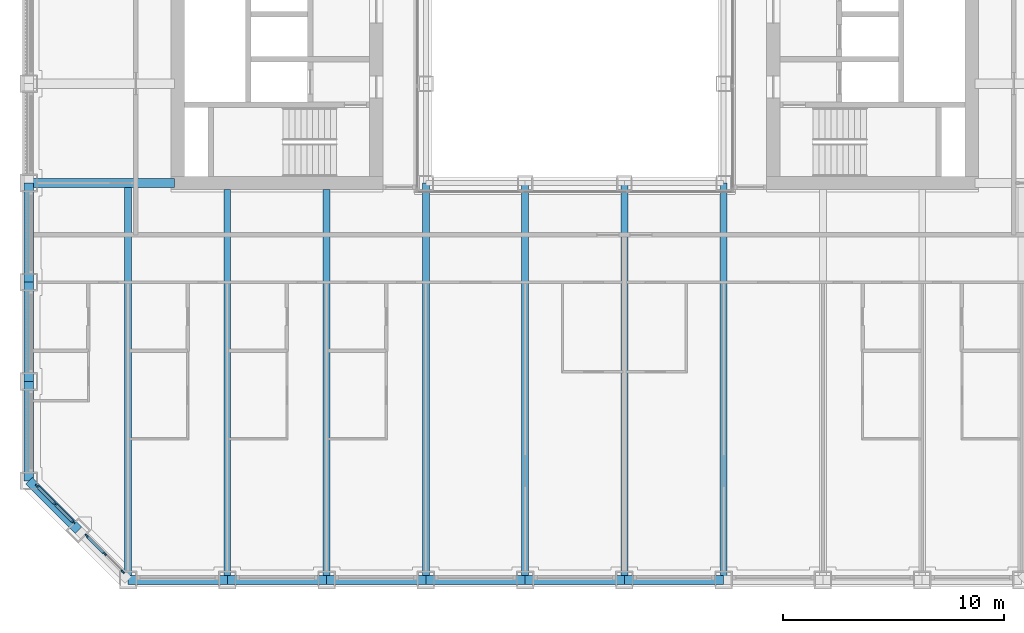
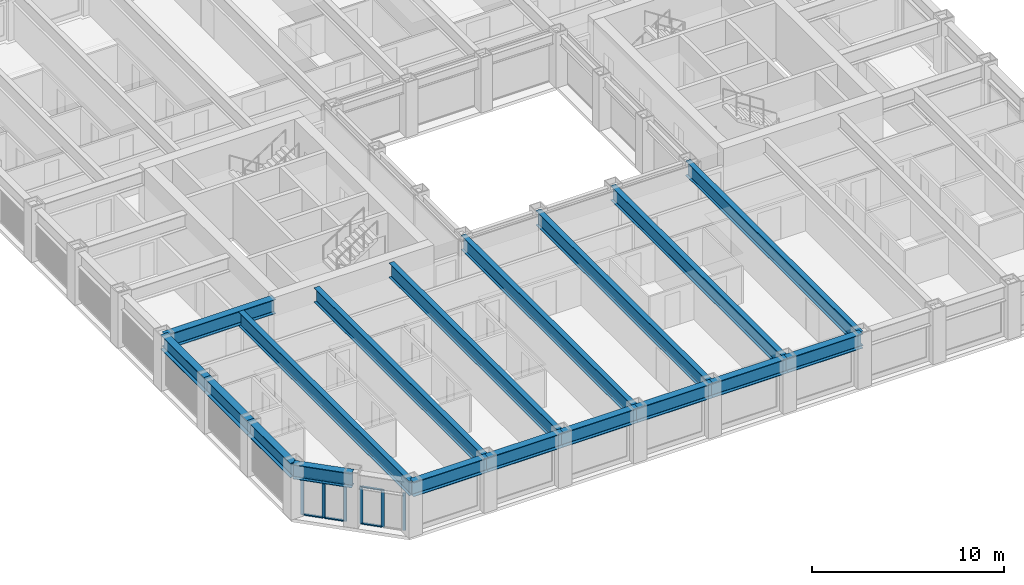
# One storey, part 2 of 21: 18 beams, 12 members, 2 elements without a shape of their own.
"""IFC4 building model written with IfcOpenShell, lengths in metres."""

from ifc_helpers import new_model, si_unit, direction, frame, origin, origin_2d, place, context, subcontext, project, spatial, rectangle, i_section, extrude, material, material_profile, profile_set, type_object, element, aggregate, save


model = new_model("IFC4")

# Units and contexts
model_context = context("Model", 3, precision=1e-05, world=origin(), true_north=direction((0.0, 1.0)))
body_context = subcontext(model_context, "Body", "Model", "MODEL_VIEW")
ifc_project = project(units=[si_unit("LENGTHUNIT", "METRE"), si_unit("AREAUNIT", "SQUARE_METRE"), si_unit("VOLUMEUNIT", "CUBIC_METRE"), si_unit("PLANEANGLEUNIT", "RADIAN"), si_unit("MASSUNIT", "GRAM", prefix="KILO")], contexts=[model_context])

# Site, building, storey
site_placement = place(None, origin())
site = spatial("IfcSite", under=ifc_project, at=site_placement, CompositionType="ELEMENT")
building_placement = place(site_placement, origin())
building = spatial("IfcBuilding", under=site, at=building_placement, Name="Msasa Ring Tower", CompositionType="ELEMENT")
storey_placement = place(building_placement, frame((0.0, 0.0, 86.0)))
storey = spatial("IfcBuildingStorey", under=building, at=storey_placement, Name="L22", CompositionType="ELEMENT", Elevation=86.0)

# Curtain wall, members
ifc_material_1 = material(Name="Aluminium curtain wall with clear glass", Category="aluminium")
curtain_wall_type = type_object("IfcCurtainWallType", Name="CW-C CHAMFER CORNER CURTAIN WALL", PredefinedType="NOTDEFINED", material=ifc_material_1)
curtain_wall_1_placement = place(storey_placement, origin())
curtain_wall_1 = element("IfcCurtainWall", 1, at=curtain_wall_1_placement, inside=storey, type_object=curtain_wall_type, Name="Chamfer corner curtain wall SW L22", PredefinedType="NOTDEFINED")
ifc_material_2 = material(Name="Aluminium mullion", Category="aluminium")
ifc_material_profile_1 = material_profile(ifc_material_2, rectangle(XDim=0.06494140625, YDim=0.179931640625, at=origin_2d()), Name="AL 65x180")
ifc_profile_set_1 = profile_set([ifc_material_profile_1], Name="Aluminium mullion")
member_type_1 = type_object("IfcMemberType", Name="CW-C MULLION 65x180", PredefinedType="MULLION", material=ifc_profile_set_1)
member_1_placement = place(storey_placement, frame((-24.369873046875, -20.48876953125, 0.0), z_axis=(0.0, 0.0, 1.0), x_axis=(0.707106781187, 0.707106781187, 0.0)))
member_1 = element("IfcMember", 2, at=member_1_placement, type_object=member_type_1, Name="CW-C mullion 1", PredefinedType="MULLION", context=body_context, shape_type="SweptSolid", body=[
    extrude(rectangle(XDim=0.06494140625, YDim=0.179931640625, at=origin_2d()), origin(), (0.0, 0.0, 1.0), 2.37890625),
])
member_2_placement = place(storey_placement, frame((-23.55419921875, -21.30419921875, 0.0), z_axis=(0.0, 0.0, 1.0), x_axis=(0.707106781187, 0.707106781187, 0.0)))
member_2 = element("IfcMember", 3, at=member_2_placement, type_object=member_type_1, Name="CW-C mullion 2", PredefinedType="MULLION", context=body_context, shape_type="SweptSolid", body=[
    extrude(rectangle(XDim=0.06494140625, YDim=0.179931640625, at=origin_2d()), origin(), (0.0, 0.0, 1.0), 2.37890625),
])
member_3_placement = place(storey_placement, frame((-22.73876953125, -22.119873046875, 0.0), z_axis=(0.0, 0.0, 1.0), x_axis=(0.707106781187, 0.707106781187, 0.0)))
member_3 = element("IfcMember", 4, at=member_3_placement, type_object=member_type_1, Name="CW-C mullion 3", PredefinedType="MULLION", context=body_context, shape_type="SweptSolid", body=[
    extrude(rectangle(XDim=0.06494140625, YDim=0.179931640625, at=origin_2d()), origin(), (0.0, 0.0, 1.0), 2.37890625),
])

curtain_wall_2_placement = place(storey_placement, origin())
curtain_wall_2 = element("IfcCurtainWall", 5, at=curtain_wall_2_placement, inside=storey, type_object=curtain_wall_type, Name="Chamfer corner curtain wall SW L22", PredefinedType="NOTDEFINED")
member_4_placement = place(storey_placement, frame((-22.119873046875, -22.73876953125, 0.0), z_axis=(0.0, 0.0, 1.0), x_axis=(0.707106781187, 0.707106781187, 0.0)))
member_4 = element("IfcMember", 6, at=member_4_placement, type_object=member_type_1, Name="CW-C mullion 1", PredefinedType="MULLION", context=body_context, shape_type="SweptSolid", body=[
    extrude(rectangle(XDim=0.06494140625, YDim=0.179931640625, at=origin_2d()), origin(), (0.0, 0.0, 1.0), 2.37890625),
])
member_5_placement = place(storey_placement, frame((-21.30419921875, -23.55419921875, 0.0), z_axis=(0.0, 0.0, 1.0), x_axis=(0.707106781187, 0.707106781187, 0.0)))
member_5 = element("IfcMember", 7, at=member_5_placement, type_object=member_type_1, Name="CW-C mullion 2", PredefinedType="MULLION", context=body_context, shape_type="SweptSolid", body=[
    extrude(rectangle(XDim=0.06494140625, YDim=0.179931640625, at=origin_2d()), origin(), (0.0, 0.0, 1.0), 2.37890625),
])
member_6_placement = place(storey_placement, frame((-20.48876953125, -24.369873046875, 0.0), z_axis=(0.0, 0.0, 1.0), x_axis=(0.707106781187, 0.707106781187, 0.0)))
member_6 = element("IfcMember", 8, at=member_6_placement, type_object=member_type_1, Name="CW-C mullion 3", PredefinedType="MULLION", context=body_context, shape_type="SweptSolid", body=[
    extrude(rectangle(XDim=0.06494140625, YDim=0.179931640625, at=origin_2d()), origin(), (0.0, 0.0, 1.0), 2.37890625),
])

# Member
ifc_material_3 = material(Name="Aluminium transom", Category="aluminium")
ifc_material_profile_2 = material_profile(ifc_material_3, rectangle(XDim=0.139892578125, YDim=0.06494140625, at=origin_2d()), Name="AL 65x140")
ifc_profile_set_2 = profile_set([ifc_material_profile_2], Name="Aluminium transom")
member_type_2 = type_object("IfcMemberType", Name="CW-C TRANSOM 65x140", PredefinedType="USERDEFINED", material=ifc_profile_set_2)
member_7_placement = place(storey_placement, frame((-24.346923828125, -20.51171875, 0.032470703125), z_axis=(0.707106781187, -0.707106781187, 0.0), x_axis=(0.707106781187, 0.707106781187, 0.0)))
member_7 = element("IfcMember", 9, at=member_7_placement, type_object=member_type_2, Name="CW-C transom 1.1", ObjectType="TRANSOM", PredefinedType="USERDEFINED", context=body_context, shape_type="SweptSolid", body=[
    extrude(rectangle(XDim=0.139892578125, YDim=0.06494140625, at=origin_2d()), origin(), (0.0, 0.0, 1.0), 1.08837890625),
])

member_8_placement = place(storey_placement, frame((-24.346923828125, -20.51171875, 2.346435546875), z_axis=(0.707106781187, -0.707106781187, 0.0), x_axis=(0.707106781187, 0.707106781187, 0.0)))
member_8 = element("IfcMember", 10, at=member_8_placement, type_object=member_type_2, Name="CW-C transom 1.2", ObjectType="TRANSOM", PredefinedType="USERDEFINED", context=body_context, shape_type="SweptSolid", body=[
    extrude(rectangle(XDim=0.139892578125, YDim=0.06494140625, at=origin_2d()), origin(), (0.0, 0.0, 1.0), 1.08837890625),
])

member_9_placement = place(storey_placement, frame((-23.53125, -21.327392578125, 0.032470703125), z_axis=(0.707106781187, -0.707106781187, 0.0), x_axis=(0.707106781187, 0.707106781187, 0.0)))
member_9 = element("IfcMember", 11, at=member_9_placement, type_object=member_type_2, Name="CW-C transom 2.1", ObjectType="TRANSOM", PredefinedType="USERDEFINED", context=body_context, shape_type="SweptSolid", body=[
    extrude(rectangle(XDim=0.139892578125, YDim=0.06494140625, at=origin_2d()), origin(), (0.0, 0.0, 1.0), 1.08837890625),
])

member_10_placement = place(storey_placement, frame((-23.53125, -21.327392578125, 2.346435546875), z_axis=(0.707106781187, -0.707106781187, 0.0), x_axis=(0.707106781187, 0.707106781187, 0.0)))
member_10 = element("IfcMember", 12, at=member_10_placement, type_object=member_type_2, Name="CW-C transom 2.2", ObjectType="TRANSOM", PredefinedType="USERDEFINED", context=body_context, shape_type="SweptSolid", body=[
    extrude(rectangle(XDim=0.139892578125, YDim=0.06494140625, at=origin_2d()), origin(), (0.0, 0.0, 1.0), 1.08837890625),
])

aggregate(curtain_wall_1, [member_1, member_2, member_3, member_7, member_8, member_9, member_10])

member_11_placement = place(storey_placement, frame((-22.096923828125, -22.76171875, 0.032470703125), z_axis=(0.707106781187, -0.707106781187, 0.0), x_axis=(0.707106781187, 0.707106781187, 0.0)))
member_11 = element("IfcMember", 13, at=member_11_placement, type_object=member_type_2, Name="CW-C transom 1.1", ObjectType="TRANSOM", PredefinedType="USERDEFINED", context=body_context, shape_type="SweptSolid", body=[
    extrude(rectangle(XDim=0.139892578125, YDim=0.06494140625, at=origin_2d()), origin(), (0.0, 0.0, 1.0), 1.08837890625),
])

member_12_placement = place(storey_placement, frame((-22.096923828125, -22.76171875, 2.346435546875), z_axis=(0.707106781187, -0.707106781187, 0.0), x_axis=(0.707106781187, 0.707106781187, 0.0)))
member_12 = element("IfcMember", 14, at=member_12_placement, type_object=member_type_2, Name="CW-C transom 1.2", ObjectType="TRANSOM", PredefinedType="USERDEFINED", context=body_context, shape_type="SweptSolid", body=[
    extrude(rectangle(XDim=0.139892578125, YDim=0.06494140625, at=origin_2d()), origin(), (0.0, 0.0, 1.0), 1.08837890625),
])

aggregate(curtain_wall_2, [member_4, member_5, member_6, member_11, member_12])

# Beams
ifc_material_4 = material(Name="Steel S355", Category="steel")
ifc_material_profile_3 = material_profile(ifc_material_4, i_section(OverallWidth=0.3076171875, OverallDepth=0.926513671875, WebThickness=0.01953125, FlangeThickness=0.031982421875, FilletRadius=0.01904296875, at=origin_2d()), Name="UB 914x305x289")
ifc_profile_set_3 = profile_set([ifc_material_profile_3], Name="Steel S355")
beam_type_1 = type_object("IfcBeamType", Name="FB3 UB 914x305x289", PredefinedType="BEAM", material=ifc_profile_set_3)
beam_1_placement = place(storey_placement, frame((-20.25, -24.75, 2.836669921875), z_axis=(0.0, 1.0, 0.0), x_axis=(-1.0, 0.0, 0.0)))
element("IfcBeam", 15, at=beam_1_placement, inside=storey, type_object=beam_type_1, Name="Floor beam S-20.25 under L23", PredefinedType="BEAM", context=body_context, shape_type="SweptSolid", body=[
    extrude(i_section(OverallWidth=0.3076171875, OverallDepth=0.926513671875, WebThickness=0.01953125, FlangeThickness=0.031982421875, FilletRadius=0.01904296875, at=origin_2d()), origin(), (0.0, 0.0, 1.0), 17.789794921875),
])
for number, where, z_axis, x_axis, name in (
    (16, (-15.75, -24.75, 2.836669921875), (0.0, 1.0, 0.0), (-1.0, 0.0, 0.0), "Floor beam S-15.75 under L23"),
    (17, (-11.25, -24.75, 2.836669921875), (0.0, 1.0, 0.0), (-1.0, 0.0, 0.0), "Floor beam S-11.25 under L23"),
):
    element("IfcBeam", number, at=place(storey_placement, frame(where, z_axis=z_axis, x_axis=x_axis)), inside=storey, type_object=beam_type_1, Name=name, PredefinedType="BEAM", context=body_context, shape_type="SweptSolid", body=[
        extrude(i_section(OverallWidth=0.3076171875, OverallDepth=0.926513671875, WebThickness=0.01953125, FlangeThickness=0.031982421875, FilletRadius=0.01904296875, at=origin_2d()), origin(), (0.0, 0.0, 1.0), 17.699951171875),
    ])
for number, where, z_axis, x_axis, name in (
    (18, (-6.75, -24.75, 2.836669921875), (0.0, 1.0, 0.0), (-1.0, 0.0, 0.0), "Floor beam S-6.75 under L23"),
    (19, (-2.25, -24.75, 2.836669921875), (0.0, 1.0, 0.0), (-1.0, 0.0, 0.0), "Floor beam S-2.25 under L23"),
    (20, (2.25, -24.75, 2.836669921875), (0.0, 1.0, 0.0), (-1.0, 0.0, 0.0), "Floor beam S+2.25 under L23"),
    (21, (6.75, -24.75, 2.836669921875), (0.0, 1.0, 0.0), (-1.0, 0.0, 0.0), "Floor beam S+6.75 under L23"),
):
    element("IfcBeam", number, at=place(storey_placement, frame(where, z_axis=z_axis, x_axis=x_axis)), inside=storey, type_object=beam_type_1, Name=name, PredefinedType="BEAM", context=body_context, shape_type="SweptSolid", body=[
        extrude(i_section(OverallWidth=0.3076171875, OverallDepth=0.926513671875, WebThickness=0.01953125, FlangeThickness=0.031982421875, FilletRadius=0.01904296875, at=origin_2d()), origin(), (0.0, 0.0, 1.0), 18.0),
    ])
ifc_material_5 = material(Name="Steel S355", Category="steel")
ifc_material_profile_4 = material_profile(ifc_material_5, i_section(OverallWidth=0.42041015625, OverallDepth=0.9208984375, WebThickness=0.021484375, FlangeThickness=0.03662109375, FilletRadius=0.024169921875, at=origin_2d()), Name="UB 914x419x388")
ifc_profile_set_4 = profile_set([ifc_material_profile_4], Name="Steel S355")
beam_type_2 = type_object("IfcBeamType", Name="GB1 UB 914x419x388", PredefinedType="BEAM", material=ifc_profile_set_4)
beam_2_placement = place(storey_placement, frame((-18.14990234375, -6.75, 2.839599609375), z_axis=(-1.0, 0.0, 0.0), x_axis=(0.0, -1.0, 0.0)))
element("IfcBeam", 22, at=beam_2_placement, inside=storey, type_object=beam_type_2, Name="Girder W -6.75 under L23", PredefinedType="BEAM", context=body_context, shape_type="SweptSolid", body=[
    extrude(i_section(OverallWidth=0.42041015625, OverallDepth=0.9208984375, WebThickness=0.021484375, FlangeThickness=0.03662109375, FilletRadius=0.024169921875, at=origin_2d()), origin(), (0.0, 0.0, 1.0), 6.60009765625),
])
ifc_material_6 = material(Name="Steel S355", Category="steel")
ifc_material_profile_5 = material_profile(ifc_material_6, i_section(OverallWidth=0.42041015625, OverallDepth=0.9208984375, WebThickness=0.021484375, FlangeThickness=0.03662109375, FilletRadius=0.024169921875, at=origin_2d()), Name="UB 914x419x388")
ifc_profile_set_5 = profile_set([ifc_material_profile_5], Name="Steel S355")
beam_type_3 = type_object("IfcBeamType", Name="SB1 UB 914x419x388", PredefinedType="SPANDREL", material=ifc_profile_set_5)
for number, where, z_axis, x_axis, name in (
    (23, (-24.75, -6.75, 2.839599609375), (0.0, -1.0, 0.0), (1.0, 0.0, 0.0), "Spandrel W-6.75 to W-11.25 under L23"),
    (24, (-24.75, -11.25, 2.839599609375), (0.0, -1.0, 0.0), (1.0, 0.0, 0.0), "Spandrel W-11.25 to W-15.75 under L23"),
    (25, (-24.75, -15.75, 2.839599609375), (0.0, -1.0, 0.0), (1.0, 0.0, 0.0), "Spandrel W-15.75 to W-20.25 under L23"),
):
    element("IfcBeam", number, at=place(storey_placement, frame(where, z_axis=z_axis, x_axis=x_axis)), inside=storey, type_object=beam_type_3, Name=name, PredefinedType="SPANDREL", context=body_context, shape_type="SweptSolid", body=[
        extrude(i_section(OverallWidth=0.42041015625, OverallDepth=0.9208984375, WebThickness=0.021484375, FlangeThickness=0.03662109375, FilletRadius=0.024169921875, at=origin_2d()), origin(), (0.0, 0.0, 1.0), 4.5),
    ])
beam_3_placement = place(storey_placement, frame((-24.75, -20.25, 2.839599609375), z_axis=(0.707106781187, -0.707106781187, 0.0), x_axis=(0.707106781187, 0.707106781187, 0.0)))
element("IfcBeam", 26, at=beam_3_placement, inside=storey, type_object=beam_type_3, Name="Spandrel W-20.25 to SW under L23", PredefinedType="SPANDREL", context=body_context, shape_type="SweptSolid", body=[
    extrude(i_section(OverallWidth=0.42041015625, OverallDepth=0.9208984375, WebThickness=0.021484375, FlangeThickness=0.03662109375, FilletRadius=0.024169921875, at=origin_2d()), origin(), (0.0, 0.0, 1.0), 3.181884765625),
])
for number, where, z_axis, x_axis, name in (
    (27, (-20.25, -24.75, 2.839599609375), (1.0, 0.0, 0.0), (0.0, 1.0, 0.0), "Spandrel S-20.25 to S-15.75 under L23"),
    (28, (-15.75, -24.75, 2.839599609375), (1.0, 0.0, 0.0), (0.0, 1.0, 0.0), "Spandrel S-15.75 to S-11.25 under L23"),
    (29, (-11.25, -24.75, 2.839599609375), (1.0, 0.0, 0.0), (0.0, 1.0, 0.0), "Spandrel S-11.25 to S-6.75 under L23"),
    (30, (-6.75, -24.75, 2.839599609375), (1.0, 0.0, 0.0), (0.0, 1.0, 0.0), "Spandrel S-6.75 to S-2.25 under L23"),
    (31, (-2.25, -24.75, 2.839599609375), (1.0, 0.0, 0.0), (0.0, 1.0, 0.0), "Spandrel S-2.25 to S+2.25 under L23"),
    (32, (2.25, -24.75, 2.839599609375), (1.0, 0.0, 0.0), (0.0, 1.0, 0.0), "Spandrel S+2.25 to S+6.75 under L23"),
):
    element("IfcBeam", number, at=place(storey_placement, frame(where, z_axis=z_axis, x_axis=x_axis)), inside=storey, type_object=beam_type_3, Name=name, PredefinedType="SPANDREL", context=body_context, shape_type="SweptSolid", body=[
        extrude(i_section(OverallWidth=0.42041015625, OverallDepth=0.9208984375, WebThickness=0.021484375, FlangeThickness=0.03662109375, FilletRadius=0.024169921875, at=origin_2d()), origin(), (0.0, 0.0, 1.0), 4.5),
    ])

save(model, "model.ifc")
